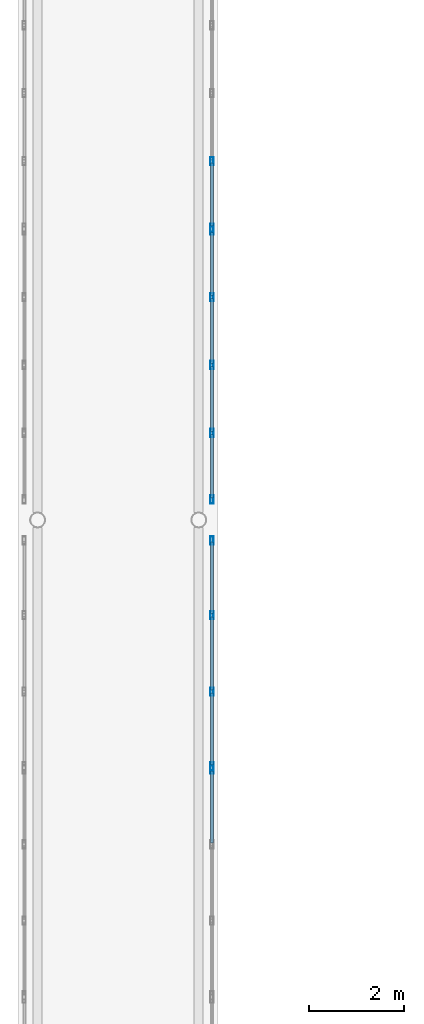
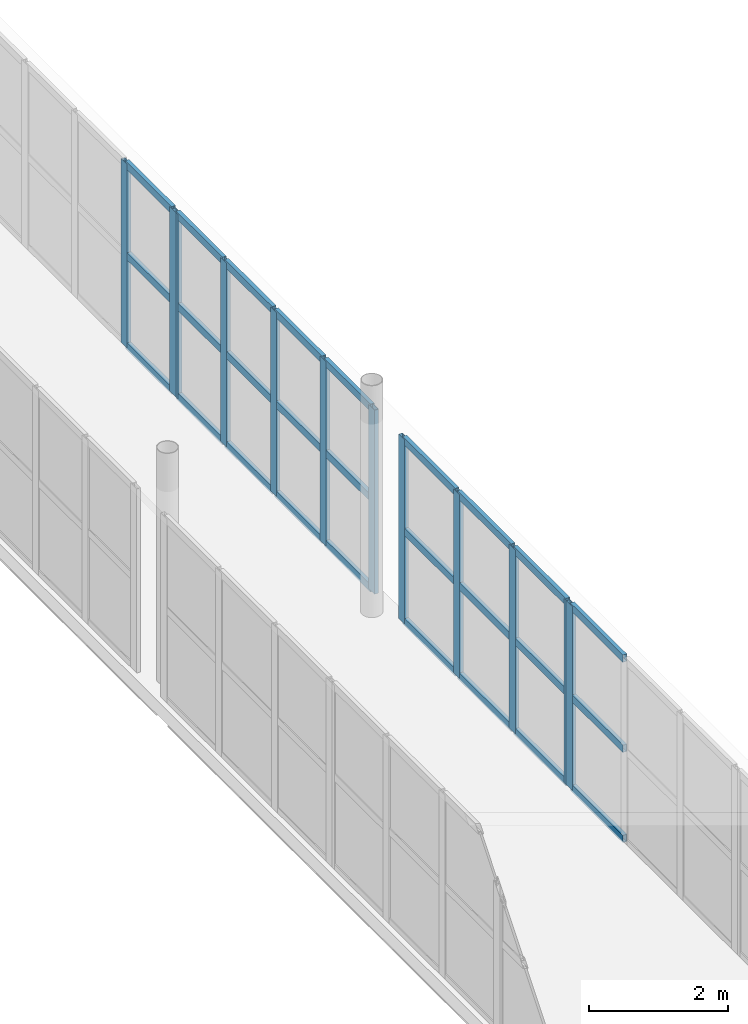
# One storey, part 64 of 146: 39 members, 4 elements without a shape of their own.
"""IFC4 building model written with IfcOpenShell, lengths in metres."""

from ifc_helpers import new_model, si_unit, direction, frame, origin, origin_2d, place, context, subcontext, project, spatial, hollow_rectangle, extrude, material, layer, layer_set, material_profile, profile_set, type_object, element, aggregate, save


model = new_model("IFC4")

# Units and contexts
model_context = context("Model", 3, precision=1e-05, world=origin(), true_north=direction((0.0, 1.0)))
body_context = subcontext(model_context, "Body", "Model", "MODEL_VIEW")
ifc_project = project(units=[si_unit("LENGTHUNIT", "METRE"), si_unit("AREAUNIT", "SQUARE_METRE"), si_unit("VOLUMEUNIT", "CUBIC_METRE"), si_unit("PLANEANGLEUNIT", "RADIAN"), si_unit("MASSUNIT", "GRAM", prefix="KILO")], contexts=[model_context])

# Site, building, storey
site_placement = place(None, origin())
site = spatial("IfcSite", under=ifc_project, at=site_placement, CompositionType="ELEMENT")
building_placement = place(site_placement, origin())
building = spatial("IfcBuilding", under=site, at=building_placement, Name="Valcora Specialist Clinic", CompositionType="ELEMENT")
storey_placement = place(building_placement, frame((0.0, 0.0, 9.52001953125)))
storey = spatial("IfcBuildingStorey", under=building, at=storey_placement, Name="L02", CompositionType="ELEMENT", Elevation=9.52001953125)

# Curtain wall, member
ifc_material = material(Name="Anodized Bronze Aluminium 6063-T6", Category="aluminium")
ifc_layer = layer(ifc_material, 0.175048828125)
ifc_layer_set = layer_set([ifc_layer], Name="Anodized Bronze Aluminium 6063-T6")
curtain_wall_type = type_object("IfcCurtainWallType", Name="TY-CW-BRG14", PredefinedType="NOTDEFINED", material=ifc_layer_set)
curtain_wall_1_placement = place(storey_placement, origin())
curtain_wall_1 = element("IfcCurtainWall", 1, at=curtain_wall_1_placement, inside=storey, type_object=curtain_wall_type, Name="Curtain wall CW-L02-259", PredefinedType="NOTDEFINED")
ifc_material_profile_1 = material_profile(ifc_material, hollow_rectangle(XDim=0.06494140625, YDim=0.175048828125, WallThickness=0.00390625, at=origin_2d()), Name="AL-MUL-65X175")
ifc_profile_set_1 = profile_set([ifc_material_profile_1], Name="Anodized Bronze Aluminium 6063-T6")
member_type_1 = type_object("IfcMemberType", Name="TY-CWM-65X175", PredefinedType="MULLION", material=ifc_profile_set_1)
member_1_placement = place(storey_placement, frame((65.280029296875, 32.734130859375, 0.0), z_axis=(0.0, 0.0, 1.0), x_axis=(-1.0, 0.0, 0.0)))
member_1 = element("IfcMember", 2, at=member_1_placement, type_object=member_type_1, Name="CW-BRG-14 mullion 4", PredefinedType="MULLION", context=body_context, shape_type="SweptSolid", body=[
    extrude(hollow_rectangle(XDim=0.06494140625, YDim=0.175048828125, WallThickness=0.00390625, at=origin_2d()), origin(), (0.0, 0.0, 1.0), 3.239990234375),
])

# Curtain wall, members
curtain_wall_2_placement = place(storey_placement, origin())
curtain_wall_2 = element("IfcCurtainWall", 3, at=curtain_wall_2_placement, inside=storey, type_object=curtain_wall_type, Name="Curtain wall CW-L02-260", PredefinedType="NOTDEFINED")
member_2_placement = place(storey_placement, frame((65.280029296875, 32.79931640625, 0.0), z_axis=(0.0, 0.0, 1.0), x_axis=(-1.0, 0.0, 0.0)))
member_2 = element("IfcMember", 4, at=member_2_placement, type_object=member_type_1, Name="CW-BRG-14 mullion 1", PredefinedType="MULLION", context=body_context, shape_type="SweptSolid", body=[
    extrude(hollow_rectangle(XDim=0.06494140625, YDim=0.175048828125, WallThickness=0.00390625, at=origin_2d()), origin(), (0.0, 0.0, 1.0), 3.239990234375),
])
member_3_placement = place(storey_placement, frame((65.280029296875, 34.377685546875, 0.0), z_axis=(0.0, 0.0, 1.0), x_axis=(-1.0, 0.0, 0.0)))
member_3 = element("IfcMember", 5, at=member_3_placement, type_object=member_type_1, Name="CW-BRG-14 mullion 2", PredefinedType="MULLION", context=body_context, shape_type="SweptSolid", body=[
    extrude(hollow_rectangle(XDim=0.06494140625, YDim=0.175048828125, WallThickness=0.00390625, at=origin_2d()), origin(), (0.0, 0.0, 1.0), 3.239990234375),
])
member_4_placement = place(storey_placement, frame((65.280029296875, 35.989013671875, 0.0), z_axis=(0.0, 0.0, 1.0), x_axis=(-1.0, 0.0, 0.0)))
member_4 = element("IfcMember", 6, at=member_4_placement, type_object=member_type_1, Name="CW-BRG-14 mullion 3", PredefinedType="MULLION", context=body_context, shape_type="SweptSolid", body=[
    extrude(hollow_rectangle(XDim=0.06494140625, YDim=0.175048828125, WallThickness=0.00390625, at=origin_2d()), origin(), (0.0, 0.0, 1.0), 3.239990234375),
])
member_5_placement = place(storey_placement, frame((65.280029296875, 37.5673828125, 0.0), z_axis=(0.0, 0.0, 1.0), x_axis=(-1.0, 0.0, 0.0)))
member_5 = element("IfcMember", 7, at=member_5_placement, type_object=member_type_1, Name="CW-BRG-14 mullion 4", PredefinedType="MULLION", context=body_context, shape_type="SweptSolid", body=[
    extrude(hollow_rectangle(XDim=0.06494140625, YDim=0.175048828125, WallThickness=0.00390625, at=origin_2d()), origin(), (0.0, 0.0, 1.0), 3.239990234375),
])

curtain_wall_3_placement = place(storey_placement, origin())
curtain_wall_3 = element("IfcCurtainWall", 8, at=curtain_wall_3_placement, inside=storey, type_object=curtain_wall_type, Name="Curtain wall CW-L02-261", PredefinedType="NOTDEFINED")
member_6_placement = place(storey_placement, frame((65.280029296875, 38.4326171875, 0.0), z_axis=(0.0, 0.0, 1.0), x_axis=(-1.0, 0.0, 0.0)))
member_6 = element("IfcMember", 9, at=member_6_placement, type_object=member_type_1, Name="CW-BRG-14 mullion 1", PredefinedType="MULLION", context=body_context, shape_type="SweptSolid", body=[
    extrude(hollow_rectangle(XDim=0.06494140625, YDim=0.175048828125, WallThickness=0.00390625, at=origin_2d()), origin(), (0.0, 0.0, 1.0), 3.239990234375),
])
member_7_placement = place(storey_placement, frame((65.280029296875, 39.833251953125, 0.0), z_axis=(0.0, 0.0, 1.0), x_axis=(-1.0, 0.0, 0.0)))
member_7 = element("IfcMember", 10, at=member_7_placement, type_object=member_type_1, Name="CW-BRG-14 mullion 2", PredefinedType="MULLION", context=body_context, shape_type="SweptSolid", body=[
    extrude(hollow_rectangle(XDim=0.06494140625, YDim=0.175048828125, WallThickness=0.00390625, at=origin_2d()), origin(), (0.0, 0.0, 1.0), 3.239990234375),
])
member_8_placement = place(storey_placement, frame((65.280029296875, 41.2666015625, 0.0), z_axis=(0.0, 0.0, 1.0), x_axis=(-1.0, 0.0, 0.0)))
member_8 = element("IfcMember", 11, at=member_8_placement, type_object=member_type_1, Name="CW-BRG-14 mullion 3", PredefinedType="MULLION", context=body_context, shape_type="SweptSolid", body=[
    extrude(hollow_rectangle(XDim=0.06494140625, YDim=0.175048828125, WallThickness=0.00390625, at=origin_2d()), origin(), (0.0, 0.0, 1.0), 3.239990234375),
])
member_9_placement = place(storey_placement, frame((65.280029296875, 42.699951171875, 0.0), z_axis=(0.0, 0.0, 1.0), x_axis=(-1.0, 0.0, 0.0)))
member_9 = element("IfcMember", 12, at=member_9_placement, type_object=member_type_1, Name="CW-BRG-14 mullion 4", PredefinedType="MULLION", context=body_context, shape_type="SweptSolid", body=[
    extrude(hollow_rectangle(XDim=0.06494140625, YDim=0.175048828125, WallThickness=0.00390625, at=origin_2d()), origin(), (0.0, 0.0, 1.0), 3.239990234375),
])
member_10_placement = place(storey_placement, frame((65.280029296875, 44.100830078125, 0.0), z_axis=(0.0, 0.0, 1.0), x_axis=(-1.0, 0.0, 0.0)))
member_10 = element("IfcMember", 13, at=member_10_placement, type_object=member_type_1, Name="CW-BRG-14 mullion 5", PredefinedType="MULLION", context=body_context, shape_type="SweptSolid", body=[
    extrude(hollow_rectangle(XDim=0.06494140625, YDim=0.175048828125, WallThickness=0.00390625, at=origin_2d()), origin(), (0.0, 0.0, 1.0), 3.239990234375),
])

curtain_wall_4_placement = place(storey_placement, origin())
curtain_wall_4 = element("IfcCurtainWall", 14, at=curtain_wall_4_placement, inside=storey, type_object=curtain_wall_type, Name="Curtain wall CW-L02-262", PredefinedType="NOTDEFINED")
member_11_placement = place(storey_placement, frame((65.280029296875, 44.165771484375, 0.0), z_axis=(0.0, 0.0, 1.0), x_axis=(-1.0, 0.0, 0.0)))
member_11 = element("IfcMember", 15, at=member_11_placement, type_object=member_type_1, Name="CW-BRG-14 mullion 1", PredefinedType="MULLION", context=body_context, shape_type="SweptSolid", body=[
    extrude(hollow_rectangle(XDim=0.06494140625, YDim=0.175048828125, WallThickness=0.00390625, at=origin_2d()), origin(), (0.0, 0.0, 1.0), 3.239990234375),
])
member_12_placement = place(storey_placement, frame((65.280029296875, 45.566650390625, 0.0), z_axis=(0.0, 0.0, 1.0), x_axis=(-1.0, 0.0, 0.0)))
member_12 = element("IfcMember", 16, at=member_12_placement, type_object=member_type_1, Name="CW-BRG-14 mullion 2", PredefinedType="MULLION", context=body_context, shape_type="SweptSolid", body=[
    extrude(hollow_rectangle(XDim=0.06494140625, YDim=0.175048828125, WallThickness=0.00390625, at=origin_2d()), origin(), (0.0, 0.0, 1.0), 3.239990234375),
])

# Member
ifc_material_profile_2 = material_profile(ifc_material, hollow_rectangle(XDim=0.06494140625, YDim=0.1298828125, WallThickness=0.00390625, at=origin_2d()), Name="AL-TRN-65X130")
ifc_profile_set_2 = profile_set([ifc_material_profile_2], Name="Anodized Bronze Aluminium 6063-T6")
member_type_2 = type_object("IfcMemberType", Name="TY-CWT-65X130", PredefinedType="USERDEFINED", material=ifc_profile_set_2)
member_13_placement = place(storey_placement, frame((65.280029296875, 31.18798828125, 0.032470703125), z_axis=(0.0, 1.0, 0.0), x_axis=(-1.0, 0.0, 0.0)))
member_13 = element("IfcMember", 17, at=member_13_placement, type_object=member_type_2, Name="CW-BRG-14 transom 3.1", ObjectType="TRANSOM", PredefinedType="USERDEFINED", context=body_context, shape_type="SweptSolid", body=[
    extrude(hollow_rectangle(XDim=0.06494140625, YDim=0.1298828125, WallThickness=0.00390625, at=origin_2d()), origin(), (0.0, 0.0, 1.0), 1.513671875),
])

member_14_placement = place(storey_placement, frame((65.280029296875, 31.18798828125, 1.619873046875), z_axis=(0.0, 1.0, 0.0), x_axis=(-1.0, 0.0, 0.0)))
member_14 = element("IfcMember", 18, at=member_14_placement, type_object=member_type_2, Name="CW-BRG-14 transom 3.2", ObjectType="TRANSOM", PredefinedType="USERDEFINED", context=body_context, shape_type="SweptSolid", body=[
    extrude(hollow_rectangle(XDim=0.06494140625, YDim=0.1298828125, WallThickness=0.00390625, at=origin_2d()), origin(), (0.0, 0.0, 1.0), 1.513671875),
])

member_15_placement = place(storey_placement, frame((65.280029296875, 31.18798828125, 3.20751953125), z_axis=(0.0, 1.0, 0.0), x_axis=(-1.0, 0.0, 0.0)))
member_15 = element("IfcMember", 19, at=member_15_placement, type_object=member_type_2, Name="CW-BRG-14 transom 3.3", ObjectType="TRANSOM", PredefinedType="USERDEFINED", context=body_context, shape_type="SweptSolid", body=[
    extrude(hollow_rectangle(XDim=0.06494140625, YDim=0.1298828125, WallThickness=0.00390625, at=origin_2d()), origin(), (0.0, 0.0, 1.0), 1.513671875),
])

aggregate(curtain_wall_1, [member_1, member_13, member_14, member_15])

member_16_placement = place(storey_placement, frame((65.280029296875, 32.831787109375, 0.032470703125), z_axis=(0.0, 1.0, 0.0), x_axis=(-1.0, 0.0, 0.0)))
member_16 = element("IfcMember", 20, at=member_16_placement, type_object=member_type_2, Name="CW-BRG-14 transom 1.1", ObjectType="TRANSOM", PredefinedType="USERDEFINED", context=body_context, shape_type="SweptSolid", body=[
    extrude(hollow_rectangle(XDim=0.06494140625, YDim=0.1298828125, WallThickness=0.00390625, at=origin_2d()), origin(), (0.0, 0.0, 1.0), 1.513427734375),
])

member_17_placement = place(storey_placement, frame((65.280029296875, 32.831787109375, 1.619873046875), z_axis=(0.0, 1.0, 0.0), x_axis=(-1.0, 0.0, 0.0)))
member_17 = element("IfcMember", 21, at=member_17_placement, type_object=member_type_2, Name="CW-BRG-14 transom 1.2", ObjectType="TRANSOM", PredefinedType="USERDEFINED", context=body_context, shape_type="SweptSolid", body=[
    extrude(hollow_rectangle(XDim=0.06494140625, YDim=0.1298828125, WallThickness=0.00390625, at=origin_2d()), origin(), (0.0, 0.0, 1.0), 1.513427734375),
])

member_18_placement = place(storey_placement, frame((65.280029296875, 32.831787109375, 3.20751953125), z_axis=(0.0, 1.0, 0.0), x_axis=(-1.0, 0.0, 0.0)))
member_18 = element("IfcMember", 22, at=member_18_placement, type_object=member_type_2, Name="CW-BRG-14 transom 1.3", ObjectType="TRANSOM", PredefinedType="USERDEFINED", context=body_context, shape_type="SweptSolid", body=[
    extrude(hollow_rectangle(XDim=0.06494140625, YDim=0.1298828125, WallThickness=0.00390625, at=origin_2d()), origin(), (0.0, 0.0, 1.0), 1.513427734375),
])

member_19_placement = place(storey_placement, frame((65.280029296875, 34.410400390625, 0.032470703125), z_axis=(0.0, 1.0, 0.0), x_axis=(-1.0, 0.0, 0.0)))
member_19 = element("IfcMember", 23, at=member_19_placement, type_object=member_type_2, Name="CW-BRG-14 transom 2.1", ObjectType="TRANSOM", PredefinedType="USERDEFINED", context=body_context, shape_type="SweptSolid", body=[
    extrude(hollow_rectangle(XDim=0.06494140625, YDim=0.1298828125, WallThickness=0.00390625, at=origin_2d()), origin(), (0.0, 0.0, 1.0), 1.5458984375),
])

member_20_placement = place(storey_placement, frame((65.280029296875, 34.410400390625, 1.619873046875), z_axis=(0.0, 1.0, 0.0), x_axis=(-1.0, 0.0, 0.0)))
member_20 = element("IfcMember", 24, at=member_20_placement, type_object=member_type_2, Name="CW-BRG-14 transom 2.2", ObjectType="TRANSOM", PredefinedType="USERDEFINED", context=body_context, shape_type="SweptSolid", body=[
    extrude(hollow_rectangle(XDim=0.06494140625, YDim=0.1298828125, WallThickness=0.00390625, at=origin_2d()), origin(), (0.0, 0.0, 1.0), 1.5458984375),
])

member_21_placement = place(storey_placement, frame((65.280029296875, 34.410400390625, 3.20751953125), z_axis=(0.0, 1.0, 0.0), x_axis=(-1.0, 0.0, 0.0)))
member_21 = element("IfcMember", 25, at=member_21_placement, type_object=member_type_2, Name="CW-BRG-14 transom 2.3", ObjectType="TRANSOM", PredefinedType="USERDEFINED", context=body_context, shape_type="SweptSolid", body=[
    extrude(hollow_rectangle(XDim=0.06494140625, YDim=0.1298828125, WallThickness=0.00390625, at=origin_2d()), origin(), (0.0, 0.0, 1.0), 1.5458984375),
])

member_22_placement = place(storey_placement, frame((65.280029296875, 36.021484375, 0.032470703125), z_axis=(0.0, 1.0, 0.0), x_axis=(-1.0, 0.0, 0.0)))
member_22 = element("IfcMember", 26, at=member_22_placement, type_object=member_type_2, Name="CW-BRG-14 transom 3.1", ObjectType="TRANSOM", PredefinedType="USERDEFINED", context=body_context, shape_type="SweptSolid", body=[
    extrude(hollow_rectangle(XDim=0.06494140625, YDim=0.1298828125, WallThickness=0.00390625, at=origin_2d()), origin(), (0.0, 0.0, 1.0), 1.513427734375),
])

member_23_placement = place(storey_placement, frame((65.280029296875, 36.021484375, 1.619873046875), z_axis=(0.0, 1.0, 0.0), x_axis=(-1.0, 0.0, 0.0)))
member_23 = element("IfcMember", 27, at=member_23_placement, type_object=member_type_2, Name="CW-BRG-14 transom 3.2", ObjectType="TRANSOM", PredefinedType="USERDEFINED", context=body_context, shape_type="SweptSolid", body=[
    extrude(hollow_rectangle(XDim=0.06494140625, YDim=0.1298828125, WallThickness=0.00390625, at=origin_2d()), origin(), (0.0, 0.0, 1.0), 1.513427734375),
])

member_24_placement = place(storey_placement, frame((65.280029296875, 36.021484375, 3.20751953125), z_axis=(0.0, 1.0, 0.0), x_axis=(-1.0, 0.0, 0.0)))
member_24 = element("IfcMember", 28, at=member_24_placement, type_object=member_type_2, Name="CW-BRG-14 transom 3.3", ObjectType="TRANSOM", PredefinedType="USERDEFINED", context=body_context, shape_type="SweptSolid", body=[
    extrude(hollow_rectangle(XDim=0.06494140625, YDim=0.1298828125, WallThickness=0.00390625, at=origin_2d()), origin(), (0.0, 0.0, 1.0), 1.513427734375),
])

aggregate(curtain_wall_2, [member_2, member_3, member_4, member_5, member_16, member_17, member_18, member_19, member_20, member_21, member_22, member_23, member_24])

member_25_placement = place(storey_placement, frame((65.280029296875, 38.465087890625, 0.032470703125), z_axis=(0.0, 1.0, 0.0), x_axis=(-1.0, 0.0, 0.0)))
member_25 = element("IfcMember", 29, at=member_25_placement, type_object=member_type_2, Name="CW-BRG-14 transom 1.1", ObjectType="TRANSOM", PredefinedType="USERDEFINED", context=body_context, shape_type="SweptSolid", body=[
    extrude(hollow_rectangle(XDim=0.06494140625, YDim=0.1298828125, WallThickness=0.00390625, at=origin_2d()), origin(), (0.0, 0.0, 1.0), 1.335693359375),
])

member_26_placement = place(storey_placement, frame((65.280029296875, 38.465087890625, 1.619873046875), z_axis=(0.0, 1.0, 0.0), x_axis=(-1.0, 0.0, 0.0)))
member_26 = element("IfcMember", 30, at=member_26_placement, type_object=member_type_2, Name="CW-BRG-14 transom 1.2", ObjectType="TRANSOM", PredefinedType="USERDEFINED", context=body_context, shape_type="SweptSolid", body=[
    extrude(hollow_rectangle(XDim=0.06494140625, YDim=0.1298828125, WallThickness=0.00390625, at=origin_2d()), origin(), (0.0, 0.0, 1.0), 1.335693359375),
])

member_27_placement = place(storey_placement, frame((65.280029296875, 38.465087890625, 3.20751953125), z_axis=(0.0, 1.0, 0.0), x_axis=(-1.0, 0.0, 0.0)))
member_27 = element("IfcMember", 31, at=member_27_placement, type_object=member_type_2, Name="CW-BRG-14 transom 1.3", ObjectType="TRANSOM", PredefinedType="USERDEFINED", context=body_context, shape_type="SweptSolid", body=[
    extrude(hollow_rectangle(XDim=0.06494140625, YDim=0.1298828125, WallThickness=0.00390625, at=origin_2d()), origin(), (0.0, 0.0, 1.0), 1.335693359375),
])

member_28_placement = place(storey_placement, frame((65.280029296875, 39.86572265625, 0.032470703125), z_axis=(0.0, 1.0, 0.0), x_axis=(-1.0, 0.0, 0.0)))
member_28 = element("IfcMember", 32, at=member_28_placement, type_object=member_type_2, Name="CW-BRG-14 transom 2.1", ObjectType="TRANSOM", PredefinedType="USERDEFINED", context=body_context, shape_type="SweptSolid", body=[
    extrude(hollow_rectangle(XDim=0.06494140625, YDim=0.1298828125, WallThickness=0.00390625, at=origin_2d()), origin(), (0.0, 0.0, 1.0), 1.368408203125),
])

member_29_placement = place(storey_placement, frame((65.280029296875, 39.86572265625, 1.619873046875), z_axis=(0.0, 1.0, 0.0), x_axis=(-1.0, 0.0, 0.0)))
member_29 = element("IfcMember", 33, at=member_29_placement, type_object=member_type_2, Name="CW-BRG-14 transom 2.2", ObjectType="TRANSOM", PredefinedType="USERDEFINED", context=body_context, shape_type="SweptSolid", body=[
    extrude(hollow_rectangle(XDim=0.06494140625, YDim=0.1298828125, WallThickness=0.00390625, at=origin_2d()), origin(), (0.0, 0.0, 1.0), 1.368408203125),
])

member_30_placement = place(storey_placement, frame((65.280029296875, 39.86572265625, 3.20751953125), z_axis=(0.0, 1.0, 0.0), x_axis=(-1.0, 0.0, 0.0)))
member_30 = element("IfcMember", 34, at=member_30_placement, type_object=member_type_2, Name="CW-BRG-14 transom 2.3", ObjectType="TRANSOM", PredefinedType="USERDEFINED", context=body_context, shape_type="SweptSolid", body=[
    extrude(hollow_rectangle(XDim=0.06494140625, YDim=0.1298828125, WallThickness=0.00390625, at=origin_2d()), origin(), (0.0, 0.0, 1.0), 1.368408203125),
])

member_31_placement = place(storey_placement, frame((65.280029296875, 41.299072265625, 0.032470703125), z_axis=(0.0, 1.0, 0.0), x_axis=(-1.0, 0.0, 0.0)))
member_31 = element("IfcMember", 35, at=member_31_placement, type_object=member_type_2, Name="CW-BRG-14 transom 3.1", ObjectType="TRANSOM", PredefinedType="USERDEFINED", context=body_context, shape_type="SweptSolid", body=[
    extrude(hollow_rectangle(XDim=0.06494140625, YDim=0.1298828125, WallThickness=0.00390625, at=origin_2d()), origin(), (0.0, 0.0, 1.0), 1.368408203125),
])

member_32_placement = place(storey_placement, frame((65.280029296875, 41.299072265625, 1.619873046875), z_axis=(0.0, 1.0, 0.0), x_axis=(-1.0, 0.0, 0.0)))
member_32 = element("IfcMember", 36, at=member_32_placement, type_object=member_type_2, Name="CW-BRG-14 transom 3.2", ObjectType="TRANSOM", PredefinedType="USERDEFINED", context=body_context, shape_type="SweptSolid", body=[
    extrude(hollow_rectangle(XDim=0.06494140625, YDim=0.1298828125, WallThickness=0.00390625, at=origin_2d()), origin(), (0.0, 0.0, 1.0), 1.368408203125),
])

member_33_placement = place(storey_placement, frame((65.280029296875, 41.299072265625, 3.20751953125), z_axis=(0.0, 1.0, 0.0), x_axis=(-1.0, 0.0, 0.0)))
member_33 = element("IfcMember", 37, at=member_33_placement, type_object=member_type_2, Name="CW-BRG-14 transom 3.3", ObjectType="TRANSOM", PredefinedType="USERDEFINED", context=body_context, shape_type="SweptSolid", body=[
    extrude(hollow_rectangle(XDim=0.06494140625, YDim=0.1298828125, WallThickness=0.00390625, at=origin_2d()), origin(), (0.0, 0.0, 1.0), 1.368408203125),
])

member_34_placement = place(storey_placement, frame((65.280029296875, 42.732421875, 0.032470703125), z_axis=(0.0, 1.0, 0.0), x_axis=(-1.0, 0.0, 0.0)))
member_34 = element("IfcMember", 38, at=member_34_placement, type_object=member_type_2, Name="CW-BRG-14 transom 4.1", ObjectType="TRANSOM", PredefinedType="USERDEFINED", context=body_context, shape_type="SweptSolid", body=[
    extrude(hollow_rectangle(XDim=0.06494140625, YDim=0.1298828125, WallThickness=0.00390625, at=origin_2d()), origin(), (0.0, 0.0, 1.0), 1.3359375),
])

member_35_placement = place(storey_placement, frame((65.280029296875, 42.732421875, 1.619873046875), z_axis=(0.0, 1.0, 0.0), x_axis=(-1.0, 0.0, 0.0)))
member_35 = element("IfcMember", 39, at=member_35_placement, type_object=member_type_2, Name="CW-BRG-14 transom 4.2", ObjectType="TRANSOM", PredefinedType="USERDEFINED", context=body_context, shape_type="SweptSolid", body=[
    extrude(hollow_rectangle(XDim=0.06494140625, YDim=0.1298828125, WallThickness=0.00390625, at=origin_2d()), origin(), (0.0, 0.0, 1.0), 1.3359375),
])

member_36_placement = place(storey_placement, frame((65.280029296875, 42.732421875, 3.20751953125), z_axis=(0.0, 1.0, 0.0), x_axis=(-1.0, 0.0, 0.0)))
member_36 = element("IfcMember", 40, at=member_36_placement, type_object=member_type_2, Name="CW-BRG-14 transom 4.3", ObjectType="TRANSOM", PredefinedType="USERDEFINED", context=body_context, shape_type="SweptSolid", body=[
    extrude(hollow_rectangle(XDim=0.06494140625, YDim=0.1298828125, WallThickness=0.00390625, at=origin_2d()), origin(), (0.0, 0.0, 1.0), 1.3359375),
])

aggregate(curtain_wall_3, [member_6, member_7, member_8, member_9, member_10, member_25, member_26, member_27, member_28, member_29, member_30, member_31, member_32, member_33, member_34, member_35, member_36])

member_37_placement = place(storey_placement, frame((65.280029296875, 44.1982421875, 0.032470703125), z_axis=(0.0, 1.0, 0.0), x_axis=(-1.0, 0.0, 0.0)))
member_37 = element("IfcMember", 41, at=member_37_placement, type_object=member_type_2, Name="CW-BRG-14 transom 1.1", ObjectType="TRANSOM", PredefinedType="USERDEFINED", context=body_context, shape_type="SweptSolid", body=[
    extrude(hollow_rectangle(XDim=0.06494140625, YDim=0.1298828125, WallThickness=0.00390625, at=origin_2d()), origin(), (0.0, 0.0, 1.0), 1.3359375),
])

member_38_placement = place(storey_placement, frame((65.280029296875, 44.1982421875, 1.619873046875), z_axis=(0.0, 1.0, 0.0), x_axis=(-1.0, 0.0, 0.0)))
member_38 = element("IfcMember", 42, at=member_38_placement, type_object=member_type_2, Name="CW-BRG-14 transom 1.2", ObjectType="TRANSOM", PredefinedType="USERDEFINED", context=body_context, shape_type="SweptSolid", body=[
    extrude(hollow_rectangle(XDim=0.06494140625, YDim=0.1298828125, WallThickness=0.00390625, at=origin_2d()), origin(), (0.0, 0.0, 1.0), 1.3359375),
])

member_39_placement = place(storey_placement, frame((65.280029296875, 44.1982421875, 3.20751953125), z_axis=(0.0, 1.0, 0.0), x_axis=(-1.0, 0.0, 0.0)))
member_39 = element("IfcMember", 43, at=member_39_placement, type_object=member_type_2, Name="CW-BRG-14 transom 1.3", ObjectType="TRANSOM", PredefinedType="USERDEFINED", context=body_context, shape_type="SweptSolid", body=[
    extrude(hollow_rectangle(XDim=0.06494140625, YDim=0.1298828125, WallThickness=0.00390625, at=origin_2d()), origin(), (0.0, 0.0, 1.0), 1.3359375),
])

aggregate(curtain_wall_4, [member_11, member_12, member_37, member_38, member_39])

save(model, "model.ifc")
